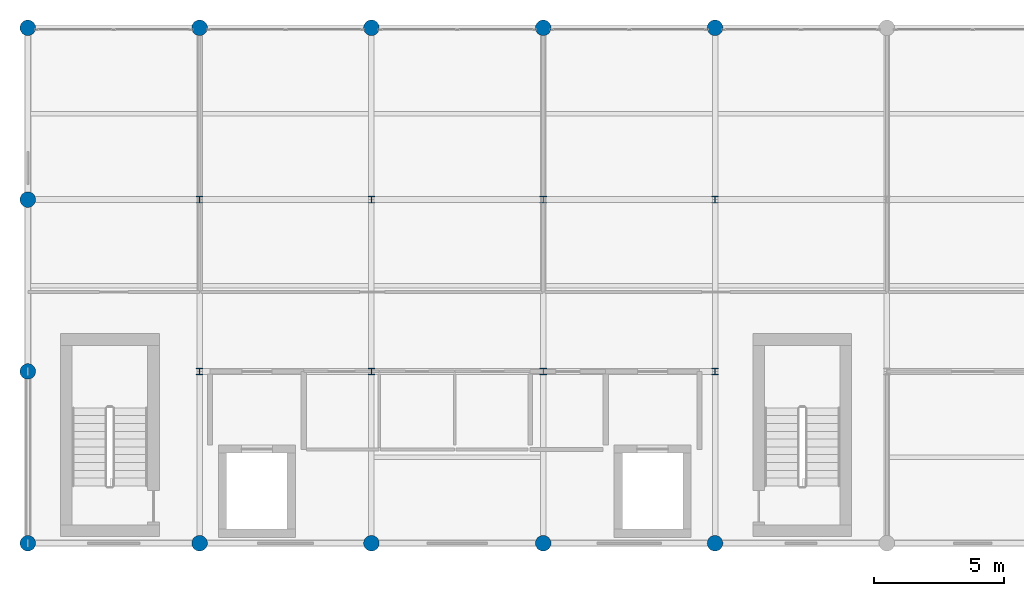
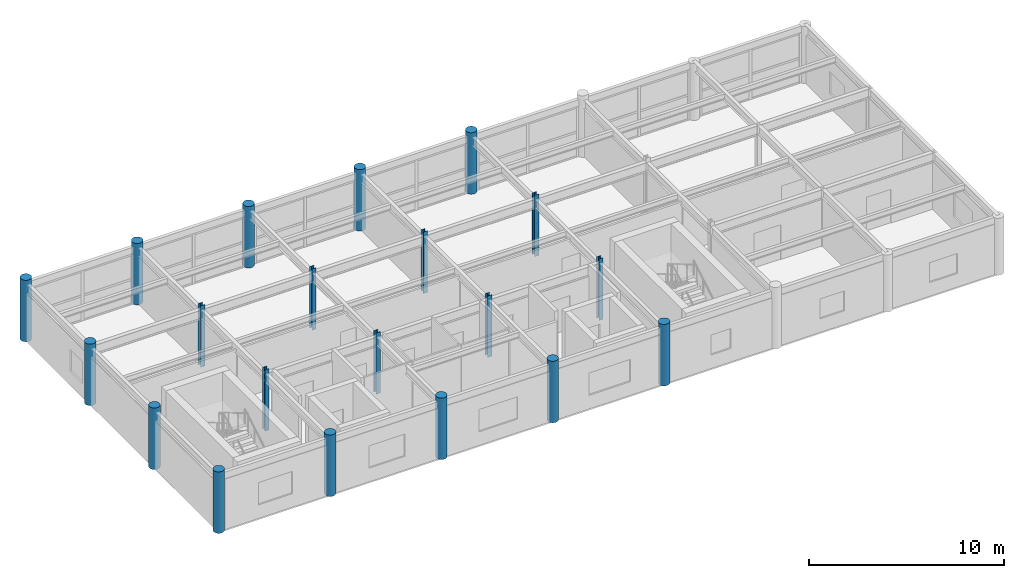
# One storey, part 1 of 17: 20 columns.
"""IFC4 building model written with IfcOpenShell, lengths in metres."""

from ifc_helpers import new_model, si_unit, direction, frame, origin, origin_2d, place, context, subcontext, project, spatial, circle, i_section, extrude, material, material_profile, profile_set, type_object, element, save


model = new_model("IFC4")

# Units and contexts
model_context = context("Model", 3, precision=1e-05, world=origin(), true_north=direction((0.0, 1.0)))
body_context = subcontext(model_context, "Body", "Model", "MODEL_VIEW")
ifc_project = project(units=[si_unit("LENGTHUNIT", "METRE"), si_unit("AREAUNIT", "SQUARE_METRE"), si_unit("VOLUMEUNIT", "CUBIC_METRE"), si_unit("PLANEANGLEUNIT", "RADIAN"), si_unit("MASSUNIT", "GRAM", prefix="KILO")], contexts=[model_context])

# Site, building, storey
site_placement = place(None, origin())
site = spatial("IfcSite", under=ifc_project, at=site_placement, CompositionType="ELEMENT")
building_placement = place(site_placement, origin())
building = spatial("IfcBuilding", under=site, at=building_placement, Name="Karori Crest Natural Sciences Institute", CompositionType="ELEMENT")
storey_placement = place(building_placement, frame((0.0, 0.0, 38.14990234375)))
storey = spatial("IfcBuildingStorey", under=building, at=storey_placement, Name="L09", CompositionType="ELEMENT", Elevation=38.14990234375)

# Columns
ifc_material_1 = material(Name="Structural steel AS/NZS 3679.1 Grade 350", Category="steel")
ifc_material_profile_1 = material_profile(ifc_material_1, i_section(OverallWidth=0.25390625, OverallDepth=0.25390625, WebThickness=0.008544921875, FlangeThickness=0.01416015625, FilletRadius=0.013916015625, at=origin_2d()), Name="250UC72.9")
ifc_profile_set_1 = profile_set([ifc_material_profile_1], Name="Structural steel AS/NZS 3679.1 Grade 350")
column_type_1 = type_object("IfcColumnType", Name="CT-07-IL", PredefinedType="COLUMN", material=ifc_profile_set_1)
for number, where, z_axis, x_axis, name in (
    (1, (110.199951171875, 7.39990234375, 0.0), (0.0, 0.0, 1.0), (1.0, 0.0, 0.0), "Column C-1087"),
    (2, (110.199951171875, 14.0, 0.0), (0.0, 0.0, 1.0), (1.0, 0.0, 0.0), "Column C-1099"),
    (3, (116.800048828125, 7.39990234375, 0.0), (0.0, 0.0, 1.0), (1.0, 0.0, 0.0), "Column C-1135"),
    (4, (116.800048828125, 14.0, 0.0), (0.0, 0.0, 1.0), (1.0, 0.0, 0.0), "Column C-1147"),
    (5, (123.39990234375, 7.39990234375, 0.0), (0.0, 0.0, 1.0), (1.0, 0.0, 0.0), "Column C-1183"),
    (6, (123.39990234375, 14.0, 0.0), (0.0, 0.0, 1.0), (1.0, 0.0, 0.0), "Column C-1195"),
    (7, (130.0, 7.39990234375, 0.0), (0.0, 0.0, 1.0), (1.0, 0.0, 0.0), "Column C-1231"),
    (8, (130.0, 14.0, 0.0), (0.0, 0.0, 1.0), (1.0, 0.0, 0.0), "Column C-1243"),
):
    element("IfcColumn", number, at=place(storey_placement, frame(where, z_axis=z_axis, x_axis=x_axis)), inside=storey, type_object=column_type_1, Name=name, PredefinedType="COLUMN", context=body_context, shape_type="SweptSolid", body=[
        extrude(i_section(OverallWidth=0.25390625, OverallDepth=0.25390625, WebThickness=0.008544921875, FlangeThickness=0.01416015625, FilletRadius=0.013916015625, at=origin_2d()), origin(), (0.0, 0.0, 1.0), 3.85009765625),
    ])
ifc_material_2 = material(Name="Concrete 50 MPa", Category="concrete")
ifc_material_profile_2 = material_profile(ifc_material_2, circle(Radius=0.300048828125, at=origin_2d()), Name="RCC600")
ifc_profile_set_2 = profile_set([ifc_material_profile_2], Name="Concrete 50 MPa")
column_type_2 = type_object("IfcColumnType", Name="CT-24", PredefinedType="PILASTER", material=ifc_profile_set_2)
for number, where, z_axis, x_axis, name in (
    (9, (103.60009765625, 0.800048828125, 0.0), (0.0, 0.0, 1.0), (1.0, 0.0, 0.0), "Column C-1027"),
    (10, (103.60009765625, 7.39990234375, 0.0), (0.0, 0.0, 1.0), (1.0, 0.0, 0.0), "Column C-1039"),
    (11, (103.60009765625, 14.0, 0.0), (0.0, 0.0, 1.0), (1.0, 0.0, 0.0), "Column C-1051"),
    (12, (103.60009765625, 20.60009765625, 0.0), (0.0, 0.0, 1.0), (1.0, 0.0, 0.0), "Column C-1063"),
    (13, (110.199951171875, 0.800048828125, 0.0), (0.0, 0.0, 1.0), (1.0, 0.0, 0.0), "Column C-1075"),
    (14, (110.199951171875, 20.60009765625, 0.0), (0.0, 0.0, 1.0), (1.0, 0.0, 0.0), "Column C-1111"),
    (15, (116.800048828125, 0.800048828125, 0.0), (0.0, 0.0, 1.0), (1.0, 0.0, 0.0), "Column C-1123"),
    (16, (116.800048828125, 20.60009765625, 0.0), (0.0, 0.0, 1.0), (1.0, 0.0, 0.0), "Column C-1159"),
    (17, (123.39990234375, 0.800048828125, 0.0), (0.0, 0.0, 1.0), (1.0, 0.0, 0.0), "Column C-1171"),
    (18, (123.39990234375, 20.60009765625, 0.0), (0.0, 0.0, 1.0), (1.0, 0.0, 0.0), "Column C-1207"),
    (19, (130.0, 0.800048828125, 0.0), (0.0, 0.0, 1.0), (1.0, 0.0, 0.0), "Column C-1219"),
    (20, (130.0, 20.60009765625, 0.0), (0.0, 0.0, 1.0), (1.0, 0.0, 0.0), "Column C-1255"),
):
    element("IfcColumn", number, at=place(storey_placement, frame(where, z_axis=z_axis, x_axis=x_axis)), inside=storey, type_object=column_type_2, Name=name, PredefinedType="PILASTER", context=body_context, shape_type="SweptSolid", body=[
        extrude(circle(Radius=0.300048828125, at=origin_2d()), origin(), (0.0, 0.0, 1.0), 3.85009765625),
    ])

save(model, "model.ifc")
